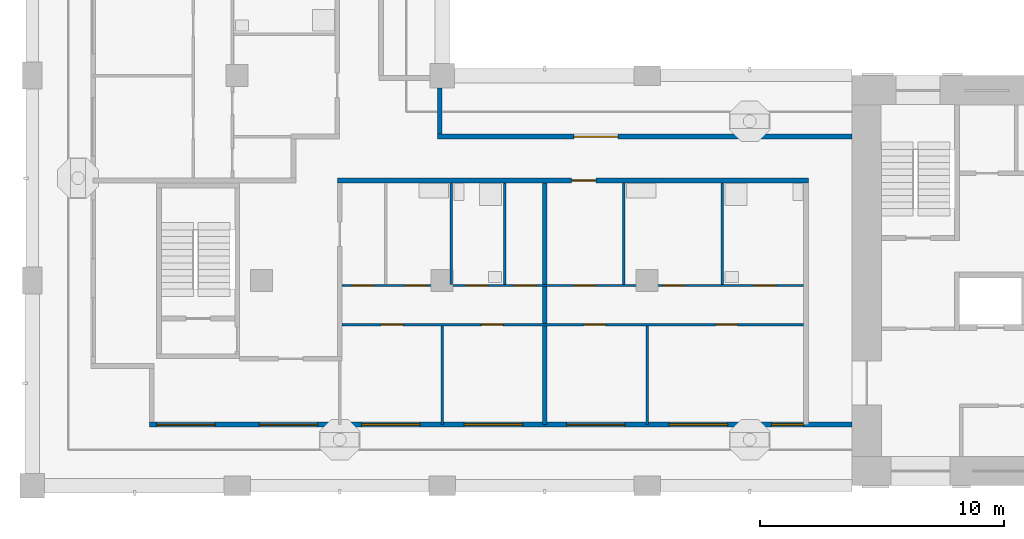
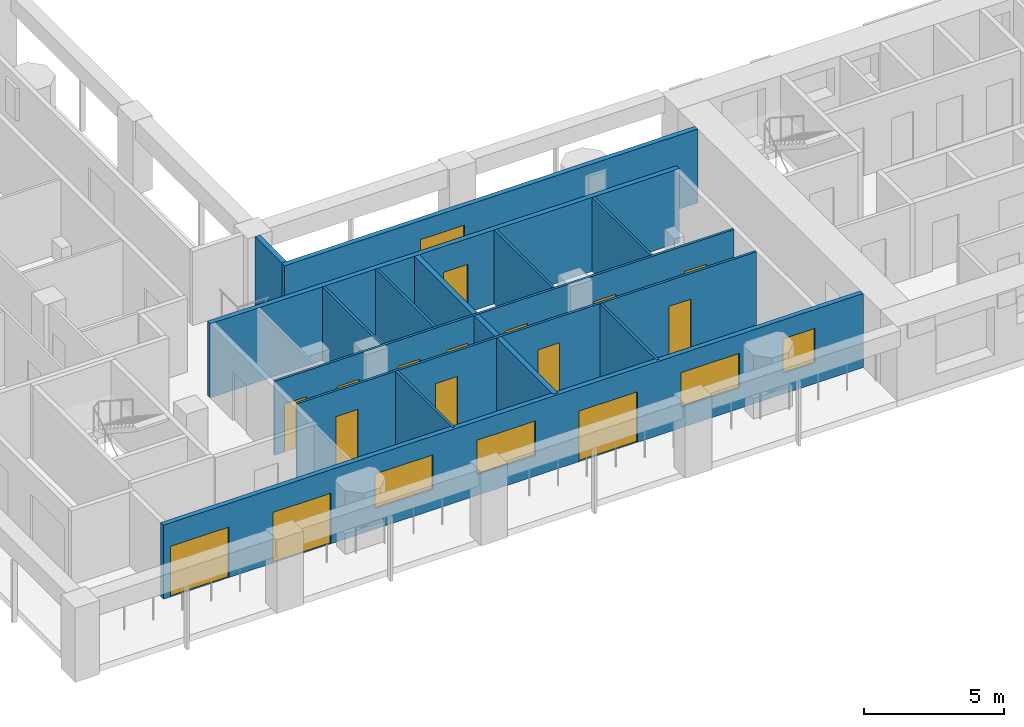
# One storey, part 2 of 11: 16 doors, 13 walls, 4 windows, 20 openings.
"""IFC4 building model written with IfcOpenShell, lengths in metres."""

from ifc_helpers import new_model, si_unit, direction, frame, frame_2d, origin, place, context, subcontext, project, spatial, rectangle, extrude, material, layer, layer_set, type_object, element, fill, save


model = new_model("IFC4")

# Units and contexts
model_context = context("Model", 3, precision=1e-05, world=origin(), true_north=direction((0.0, 1.0)))
body_context = subcontext(model_context, "Body", "Model", "MODEL_VIEW")
ifc_project = project(units=[si_unit("LENGTHUNIT", "METRE"), si_unit("AREAUNIT", "SQUARE_METRE"), si_unit("VOLUMEUNIT", "CUBIC_METRE"), si_unit("PLANEANGLEUNIT", "RADIAN"), si_unit("MASSUNIT", "GRAM", prefix="KILO")], contexts=[model_context])

# Site, building, storey
site_placement = place(None, origin())
site = spatial("IfcSite", under=ifc_project, at=site_placement, CompositionType="ELEMENT")
building_placement = place(site_placement, origin())
building = spatial("IfcBuilding", under=site, at=building_placement, Name="Vermilion Gate Residences", CompositionType="ELEMENT")
storey_placement = place(building_placement, frame((0.0, 0.0, 263.199951171875)))
storey = spatial("IfcBuildingStorey", under=building, at=storey_placement, Name="L69", CompositionType="ELEMENT", Elevation=263.199951171875)

# Wall, openings, doors, windows
ifc_material_1 = material(Name="Insulated steel stud wall with terracotta rainscreen", Category="masonry")
ifc_layer_1 = layer(ifc_material_1, 0.199951171875)
ifc_layer_set_1 = layer_set([ifc_layer_1], Name="EXTERNAL WALL 200 TERRACOTTA RAINSCREEN")
wall_type_1 = type_object("IfcWallType", Name="EXTERNAL WALL 200 TERRACOTTA RAINSCREEN", PredefinedType="SOLIDWALL", material=ifc_layer_set_1)
wall_1_placement = place(storey_placement, frame((13.199951171875, 10.89990234375, 0.0), z_axis=(0.0, 0.0, 1.0), x_axis=(1.0, 0.0, 0.0)))
wall_1 = element("IfcWall", 1, at=wall_1_placement, inside=storey, type_object=wall_type_1, Name="External wall", PredefinedType="SOLIDWALL", context=body_context, shape_type="SweptSolid", body=[
    extrude(rectangle(XDim=28.800048828125, YDim=0.199951171875, at=frame_2d((14.39990234375, 0.0))), origin(), (0.0, 0.0, 1.0), 3.219970703125),
])
opening_1_placement = place(wall_1_placement, frame((0.300048828125, 0.0, 0.0)))
opening_1 = element("IfcOpeningElement", 2, at=opening_1_placement, cuts=wall_1, Name="Opening DE69008", PredefinedType="OPENING", context=body_context, shape_type="SweptSolid", body=[
    extrude(rectangle(XDim=2.39990234375, YDim=2.199951171875, at=frame_2d((1.199951171875, 1.10009765625))), frame((0.0, 0.10986328125, 0.0), z_axis=(0.0, -1.0, 0.0), x_axis=(1.0, 0.0, 0.0)), (0.0, 0.0, 1.0), 0.219970703125),
])
opening_2_placement = place(wall_1_placement, frame((4.5, 0.0, 0.0)))
opening_2 = element("IfcOpeningElement", 3, at=opening_2_placement, cuts=wall_1, Name="Opening DE69009", PredefinedType="OPENING", context=body_context, shape_type="SweptSolid", body=[
    extrude(rectangle(XDim=2.39990234375, YDim=2.199951171875, at=frame_2d((1.199951171875, 1.10009765625))), frame((0.0, 0.10986328125, 0.0), z_axis=(0.0, -1.0, 0.0), x_axis=(1.0, 0.0, 0.0)), (0.0, 0.0, 1.0), 0.219970703125),
])
opening_3_placement = place(wall_1_placement, frame((8.699951171875, 0.0, 0.89990234375)))
opening_3 = element("IfcOpeningElement", 4, at=opening_3_placement, cuts=wall_1, Name="Opening WE69010", PredefinedType="OPENING", context=body_context, shape_type="SweptSolid", body=[
    extrude(rectangle(XDim=2.39990234375, YDim=1.5, at=frame_2d((1.199951171875, 0.75))), frame((0.0, 0.10986328125, 0.0), z_axis=(0.0, -1.0, 0.0), x_axis=(1.0, 0.0, 0.0)), (0.0, 0.0, 1.0), 0.219970703125),
])
opening_4_placement = place(wall_1_placement, frame((12.89990234375, 0.0, 0.89990234375)))
opening_4 = element("IfcOpeningElement", 5, at=opening_4_placement, cuts=wall_1, Name="Opening WE69011", PredefinedType="OPENING", context=body_context, shape_type="SweptSolid", body=[
    extrude(rectangle(XDim=2.39990234375, YDim=1.5, at=frame_2d((1.199951171875, 0.75))), frame((0.0, 0.10986328125, 0.0), z_axis=(0.0, -1.0, 0.0), x_axis=(1.0, 0.0, 0.0)), (0.0, 0.0, 1.0), 0.219970703125),
])
opening_5_placement = place(wall_1_placement, frame((17.10009765625, 0.0, 0.0)))
opening_5 = element("IfcOpeningElement", 6, at=opening_5_placement, cuts=wall_1, Name="Opening DE69012", PredefinedType="OPENING", context=body_context, shape_type="SweptSolid", body=[
    extrude(rectangle(XDim=2.39990234375, YDim=2.199951171875, at=frame_2d((1.199951171875, 1.10009765625))), frame((0.0, 0.10986328125, 0.0), z_axis=(0.0, -1.0, 0.0), x_axis=(1.0, 0.0, 0.0)), (0.0, 0.0, 1.0), 0.219970703125),
])
opening_6_placement = place(wall_1_placement, frame((21.300048828125, 0.0, 0.89990234375)))
opening_6 = element("IfcOpeningElement", 7, at=opening_6_placement, cuts=wall_1, Name="Opening WE69013", PredefinedType="OPENING", context=body_context, shape_type="SweptSolid", body=[
    extrude(rectangle(XDim=2.39990234375, YDim=1.5, at=frame_2d((1.199951171875, 0.75))), frame((0.0, 0.10986328125, 0.0), z_axis=(0.0, -1.0, 0.0), x_axis=(1.0, 0.0, 0.0)), (0.0, 0.0, 1.0), 0.219970703125),
])
opening_7_placement = place(wall_1_placement, frame((25.5, 0.0, 0.89990234375)))
opening_7 = element("IfcOpeningElement", 8, at=opening_7_placement, cuts=wall_1, Name="Opening WE69014", PredefinedType="OPENING", context=body_context, shape_type="SweptSolid", body=[
    extrude(rectangle(XDim=1.300048828125, YDim=1.5, at=frame_2d((0.64990234375, 0.75))), frame((0.0, 0.10986328125, 0.0), z_axis=(0.0, -1.0, 0.0), x_axis=(1.0, 0.0, 0.0)), (0.0, 0.0, 1.0), 0.219970703125),
])
ifc_material_2 = material(Name="Aluminium and clear glass", Category="aluminium")
door_type_1 = type_object("IfcDoorType", Name="SLIDING GLAZED DOOR 2400 X 2200", OperationType="DOUBLE_DOOR_SLIDING", PredefinedType="DOOR", material=ifc_material_2)
door_1_placement = place(opening_1_placement, origin())
door_1 = element("IfcDoor", 9, at=door_1_placement, inside=storey, type_object=door_type_1, Name="Loggia sliding door", OperationType="DOUBLE_DOOR_SLIDING", OverallHeight=2.199951171875, OverallWidth=2.39990234375, PredefinedType="DOOR", context=body_context, shape_type="SweptSolid", body=[
    extrude(rectangle(XDim=2.39990234375, YDim=2.199951171875, at=frame_2d((1.199951171875, 1.10009765625))), frame((0.0, 0.02490234375, 0.0), z_axis=(0.0, -1.0, 0.0), x_axis=(1.0, 0.0, 0.0)), (0.0, 0.0, 1.0), 0.050048828125),
])
fill(opening_1, door_1)
door_2_placement = place(opening_2_placement, origin())
door_2 = element("IfcDoor", 10, at=door_2_placement, inside=storey, type_object=door_type_1, Name="Loggia sliding door", OperationType="DOUBLE_DOOR_SLIDING", OverallHeight=2.199951171875, OverallWidth=2.39990234375, PredefinedType="DOOR", context=body_context, shape_type="SweptSolid", body=[
    extrude(rectangle(XDim=2.39990234375, YDim=2.199951171875, at=frame_2d((1.199951171875, 1.10009765625))), frame((0.0, 0.02490234375, 0.0), z_axis=(0.0, -1.0, 0.0), x_axis=(1.0, 0.0, 0.0)), (0.0, 0.0, 1.0), 0.050048828125),
])
fill(opening_2, door_2)
door_3_placement = place(opening_5_placement, origin())
door_3 = element("IfcDoor", 11, at=door_3_placement, inside=storey, type_object=door_type_1, Name="Loggia sliding door", OperationType="DOUBLE_DOOR_SLIDING", OverallHeight=2.199951171875, OverallWidth=2.39990234375, PredefinedType="DOOR", context=body_context, shape_type="SweptSolid", body=[
    extrude(rectangle(XDim=2.39990234375, YDim=2.199951171875, at=frame_2d((1.199951171875, 1.10009765625))), frame((0.0, 0.02490234375, 0.0), z_axis=(0.0, -1.0, 0.0), x_axis=(1.0, 0.0, 0.0)), (0.0, 0.0, 1.0), 0.050048828125),
])
fill(opening_5, door_3)
ifc_material_3 = material(Name="Aluminium and clear glass", Category="aluminium")
window_type_1 = type_object("IfcWindowType", Name="WINDOW 1300 X 1500", PartitioningType="SINGLE_PANEL", PredefinedType="WINDOW", material=ifc_material_3)
window_1_placement = place(opening_7_placement, origin())
window_1 = element("IfcWindow", 12, at=window_1_placement, inside=storey, type_object=window_type_1, Name="Window", OverallHeight=1.5, OverallWidth=1.300048828125, PartitioningType="SINGLE_PANEL", PredefinedType="WINDOW", context=body_context, shape_type="SweptSolid", body=[
    extrude(rectangle(XDim=1.300048828125, YDim=1.5, at=frame_2d((0.64990234375, 0.75))), frame((0.0, 0.030029296875, 0.0), z_axis=(0.0, -1.0, 0.0), x_axis=(1.0, 0.0, 0.0)), (0.0, 0.0, 1.0), 0.06005859375),
])
fill(opening_7, window_1)
ifc_material_4 = material(Name="Aluminium and clear glass", Category="aluminium")
window_type_2 = type_object("IfcWindowType", Name="WINDOW 2400 X 1500", PartitioningType="SINGLE_PANEL", PredefinedType="WINDOW", material=ifc_material_4)
window_2_placement = place(opening_3_placement, origin())
window_2 = element("IfcWindow", 13, at=window_2_placement, inside=storey, type_object=window_type_2, Name="Window", OverallHeight=1.5, OverallWidth=2.39990234375, PartitioningType="SINGLE_PANEL", PredefinedType="WINDOW", context=body_context, shape_type="SweptSolid", body=[
    extrude(rectangle(XDim=2.39990234375, YDim=1.5, at=frame_2d((1.199951171875, 0.75))), frame((0.0, 0.030029296875, 0.0), z_axis=(0.0, -1.0, 0.0), x_axis=(1.0, 0.0, 0.0)), (0.0, 0.0, 1.0), 0.06005859375),
])
fill(opening_3, window_2)
window_3_placement = place(opening_4_placement, origin())
window_3 = element("IfcWindow", 14, at=window_3_placement, inside=storey, type_object=window_type_2, Name="Window", OverallHeight=1.5, OverallWidth=2.39990234375, PartitioningType="SINGLE_PANEL", PredefinedType="WINDOW", context=body_context, shape_type="SweptSolid", body=[
    extrude(rectangle(XDim=2.39990234375, YDim=1.5, at=frame_2d((1.199951171875, 0.75))), frame((0.0, 0.030029296875, 0.0), z_axis=(0.0, -1.0, 0.0), x_axis=(1.0, 0.0, 0.0)), (0.0, 0.0, 1.0), 0.06005859375),
])
fill(opening_4, window_3)
window_4_placement = place(opening_6_placement, origin())
window_4 = element("IfcWindow", 15, at=window_4_placement, inside=storey, type_object=window_type_2, Name="Window", OverallHeight=1.5, OverallWidth=2.39990234375, PartitioningType="SINGLE_PANEL", PredefinedType="WINDOW", context=body_context, shape_type="SweptSolid", body=[
    extrude(rectangle(XDim=2.39990234375, YDim=1.5, at=frame_2d((1.199951171875, 0.75))), frame((0.0, 0.030029296875, 0.0), z_axis=(0.0, -1.0, 0.0), x_axis=(1.0, 0.0, 0.0)), (0.0, 0.0, 1.0), 0.06005859375),
])
fill(opening_6, window_4)

# Wall, opening, door
wall_2_placement = place(storey_placement, frame((42.0, 22.699951171875, 0.0), z_axis=(0.0, 0.0, 1.0), x_axis=(-1.0, 0.0, 0.0)))
wall_2 = element("IfcWall", 16, at=wall_2_placement, inside=storey, type_object=wall_type_1, Name="External wall", PredefinedType="SOLIDWALL", context=body_context, shape_type="SweptSolid", body=[
    extrude(rectangle(XDim=17.0, YDim=0.199951171875, at=frame_2d((8.5, 0.0))), origin(), (0.0, 0.0, 1.0), 3.219970703125),
])
opening_8_placement = place(wall_2_placement, frame((9.60009765625, 0.0, 0.0)))
opening_8 = element("IfcOpeningElement", 17, at=opening_8_placement, cuts=wall_2, Name="Opening DE69015", PredefinedType="OPENING", context=body_context, shape_type="SweptSolid", body=[
    extrude(rectangle(XDim=1.800048828125, YDim=2.39990234375, at=frame_2d((0.89990234375, 1.199951171875))), frame((0.0, 0.10986328125, 0.0), z_axis=(0.0, -1.0, 0.0), x_axis=(1.0, 0.0, 0.0)), (0.0, 0.0, 1.0), 0.219970703125),
])
ifc_material_5 = material(Name="Aluminium and clear glass", Category="aluminium")
door_type_2 = type_object("IfcDoorType", Name="GLAZED EXTERNAL DOOR 1800 X 2400", OperationType="DOUBLE_DOOR_SINGLE_SWING", PredefinedType="DOOR", material=ifc_material_5)
door_4_placement = place(opening_8_placement, frame((1.800048828125, 0.0, 0.0), z_axis=(0.0, 0.0, 1.0), x_axis=(-1.0, 0.0, 0.0)))
door_4 = element("IfcDoor", 18, at=door_4_placement, inside=storey, type_object=door_type_2, Name="Gallery door", OperationType="DOUBLE_DOOR_SINGLE_SWING", OverallHeight=2.39990234375, OverallWidth=1.800048828125, PredefinedType="DOOR", context=body_context, shape_type="SweptSolid", body=[
    extrude(rectangle(XDim=1.800048828125, YDim=2.39990234375, at=frame_2d((0.89990234375, 1.199951171875))), frame((0.0, 0.02490234375, 0.0), z_axis=(0.0, -1.0, 0.0), x_axis=(1.0, 0.0, 0.0)), (0.0, 0.0, 1.0), 0.050048828125),
])
fill(opening_8, door_4)

# Wall
wall_3_placement = place(storey_placement, frame((25.10009765625, 22.800048828125, 0.0), z_axis=(0.0, 0.0, 1.0), x_axis=(0.0, 1.0, 0.0)))
element("IfcWall", 19, at=wall_3_placement, inside=storey, type_object=wall_type_1, Name="External wall", PredefinedType="SOLIDWALL", context=body_context, shape_type="SweptSolid", body=[
    extrude(rectangle(XDim=1.89990234375, YDim=0.199951171875, at=frame_2d((0.949951171875, 0.0))), origin(), (0.0, 0.0, 1.0), 3.219970703125),
])

# Wall, openings, doors
ifc_material_6 = material(Name="Plasterboard on steel studs", Category="steel")
ifc_layer_2 = layer(ifc_material_6, 0.10009765625)
ifc_layer_set_2 = layer_set([ifc_layer_2], Name="PARTITION 100")
wall_type_2 = type_object("IfcWallType", Name="PARTITION 100", PredefinedType="PARTITIONING", material=ifc_layer_set_2)
wall_4_placement = place(storey_placement, frame((21.10009765625, 15.0, 0.0), z_axis=(0.0, 0.0, 1.0), x_axis=(1.0, 0.0, 0.0)))
wall_4 = element("IfcWall", 20, at=wall_4_placement, inside=storey, type_object=wall_type_2, Name="Partition", PredefinedType="PARTITIONING", context=body_context, shape_type="SweptSolid", body=[
    extrude(rectangle(XDim=18.89990234375, YDim=0.10009765625, at=frame_2d((9.449951171875, 0.0))), origin(), (0.0, 0.0, 1.0), 3.219970703125),
])
opening_9_placement = place(wall_4_placement, frame((1.60009765625, 0.0, 0.0)))
opening_9 = element("IfcOpeningElement", 21, at=opening_9_placement, cuts=wall_4, Name="Opening DA67002", PredefinedType="OPENING", context=body_context, shape_type="SweptSolid", body=[
    extrude(rectangle(XDim=0.89990234375, YDim=2.10009765625, at=frame_2d((0.449951171875, 1.050048828125))), frame((0.0, 0.06005859375, 0.0), z_axis=(0.0, -1.0, 0.0), x_axis=(1.0, 0.0, 0.0)), (0.0, 0.0, 1.0), 0.1201171875),
])
opening_10_placement = place(wall_4_placement, frame((5.699951171875, 0.0, 0.0)))
opening_10 = element("IfcOpeningElement", 22, at=opening_10_placement, cuts=wall_4, Name="Opening DA67003", PredefinedType="OPENING", context=body_context, shape_type="SweptSolid", body=[
    extrude(rectangle(XDim=0.89990234375, YDim=2.10009765625, at=frame_2d((0.449951171875, 1.050048828125))), frame((0.0, 0.06005859375, 0.0), z_axis=(0.0, -1.0, 0.0), x_axis=(1.0, 0.0, 0.0)), (0.0, 0.0, 1.0), 0.1201171875),
])
opening_11_placement = place(wall_4_placement, frame((9.89990234375, 0.0, 0.0)))
opening_11 = element("IfcOpeningElement", 23, at=opening_11_placement, cuts=wall_4, Name="Opening DA67004", PredefinedType="OPENING", context=body_context, shape_type="SweptSolid", body=[
    extrude(rectangle(XDim=0.89990234375, YDim=2.10009765625, at=frame_2d((0.449951171875, 1.050048828125))), frame((0.0, 0.06005859375, 0.0), z_axis=(0.0, -1.0, 0.0), x_axis=(1.0, 0.0, 0.0)), (0.0, 0.0, 1.0), 0.1201171875),
])
opening_12_placement = place(wall_4_placement, frame((15.300048828125, 0.0, 0.0)))
opening_12 = element("IfcOpeningElement", 24, at=opening_12_placement, cuts=wall_4, Name="Opening DA67005", PredefinedType="OPENING", context=body_context, shape_type="SweptSolid", body=[
    extrude(rectangle(XDim=0.89990234375, YDim=2.10009765625, at=frame_2d((0.449951171875, 1.050048828125))), frame((0.0, 0.06005859375, 0.0), z_axis=(0.0, -1.0, 0.0), x_axis=(1.0, 0.0, 0.0)), (0.0, 0.0, 1.0), 0.1201171875),
])
ifc_material_7 = material(Name="Timber", Category="wood")
door_type_3 = type_object("IfcDoorType", Name="INTERIOR DOOR 900 X 2100", OperationType="SINGLE_SWING_LEFT", PredefinedType="DOOR", material=ifc_material_7)
door_5_placement = place(opening_9_placement, frame((0.89990234375, 0.0, 0.0), z_axis=(0.0, 0.0, 1.0), x_axis=(-1.0, 0.0, 0.0)))
door_5 = element("IfcDoor", 25, at=door_5_placement, inside=storey, type_object=door_type_3, Name="Interior door", OperationType="SINGLE_SWING_LEFT", OverallHeight=2.10009765625, OverallWidth=0.89990234375, PredefinedType="DOOR", context=body_context, shape_type="SweptSolid", body=[
    extrude(rectangle(XDim=0.89990234375, YDim=2.10009765625, at=frame_2d((0.449951171875, 1.050048828125))), frame((0.0, 0.02490234375, 0.0), z_axis=(0.0, -1.0, 0.0), x_axis=(1.0, 0.0, 0.0)), (0.0, 0.0, 1.0), 0.050048828125),
])
fill(opening_9, door_5)
door_6_placement = place(opening_10_placement, frame((0.89990234375, 0.0, 0.0), z_axis=(0.0, 0.0, 1.0), x_axis=(-1.0, 0.0, 0.0)))
door_6 = element("IfcDoor", 26, at=door_6_placement, inside=storey, type_object=door_type_3, Name="Interior door", OperationType="SINGLE_SWING_RIGHT", OverallHeight=2.10009765625, OverallWidth=0.89990234375, PredefinedType="DOOR", context=body_context, shape_type="SweptSolid", body=[
    extrude(rectangle(XDim=0.89990234375, YDim=2.10009765625, at=frame_2d((0.449951171875, 1.050048828125))), frame((0.0, 0.02490234375, 0.0), z_axis=(0.0, -1.0, 0.0), x_axis=(1.0, 0.0, 0.0)), (0.0, 0.0, 1.0), 0.050048828125),
])
fill(opening_10, door_6)
door_7_placement = place(opening_11_placement, frame((0.89990234375, 0.0, 0.0), z_axis=(0.0, 0.0, 1.0), x_axis=(-1.0, 0.0, 0.0)))
door_7 = element("IfcDoor", 27, at=door_7_placement, inside=storey, type_object=door_type_3, Name="Interior door", OperationType="SINGLE_SWING_RIGHT", OverallHeight=2.10009765625, OverallWidth=0.89990234375, PredefinedType="DOOR", context=body_context, shape_type="SweptSolid", body=[
    extrude(rectangle(XDim=0.89990234375, YDim=2.10009765625, at=frame_2d((0.449951171875, 1.050048828125))), frame((0.0, 0.02490234375, 0.0), z_axis=(0.0, -1.0, 0.0), x_axis=(1.0, 0.0, 0.0)), (0.0, 0.0, 1.0), 0.050048828125),
])
fill(opening_11, door_7)
door_8_placement = place(opening_12_placement, frame((0.89990234375, 0.0, 0.0), z_axis=(0.0, 0.0, 1.0), x_axis=(-1.0, 0.0, 0.0)))
door_8 = element("IfcDoor", 28, at=door_8_placement, inside=storey, type_object=door_type_3, Name="Interior door", OperationType="SINGLE_SWING_LEFT", OverallHeight=2.10009765625, OverallWidth=0.89990234375, PredefinedType="DOOR", context=body_context, shape_type="SweptSolid", body=[
    extrude(rectangle(XDim=0.89990234375, YDim=2.10009765625, at=frame_2d((0.449951171875, 1.050048828125))), frame((0.0, 0.02490234375, 0.0), z_axis=(0.0, -1.0, 0.0), x_axis=(1.0, 0.0, 0.0)), (0.0, 0.0, 1.0), 0.050048828125),
])
fill(opening_12, door_8)

wall_5_placement = place(storey_placement, frame((21.10009765625, 16.60009765625, 0.0), z_axis=(0.0, 0.0, 1.0), x_axis=(1.0, 0.0, 0.0)))
wall_5 = element("IfcWall", 29, at=wall_5_placement, inside=storey, type_object=wall_type_2, Name="Partition", PredefinedType="PARTITIONING", context=body_context, shape_type="SweptSolid", body=[
    extrude(rectangle(XDim=18.89990234375, YDim=0.10009765625, at=frame_2d((9.449951171875, 0.0))), origin(), (0.0, 0.0, 1.0), 3.219970703125),
])
opening_13_placement = place(wall_5_placement, frame((0.39990234375, 0.0, 0.0)))
opening_13 = element("IfcOpeningElement", 30, at=opening_13_placement, cuts=wall_5, Name="Opening DA67006", PredefinedType="OPENING", context=body_context, shape_type="SweptSolid", body=[
    extrude(rectangle(XDim=0.89990234375, YDim=2.10009765625, at=frame_2d((0.449951171875, 1.050048828125))), frame((0.0, 0.06005859375, 0.0), z_axis=(0.0, -1.0, 0.0), x_axis=(1.0, 0.0, 0.0)), (0.0, 0.0, 1.0), 0.1201171875),
])
opening_14_placement = place(wall_5_placement, frame((2.583984375, 0.0, 0.0)))
opening_14 = element("IfcOpeningElement", 31, at=opening_14_placement, cuts=wall_5, Name="Opening DA67007", PredefinedType="OPENING", context=body_context, shape_type="SweptSolid", body=[
    extrude(rectangle(XDim=0.89990234375, YDim=2.10009765625, at=frame_2d((0.449951171875, 1.050048828125))), frame((0.0, 0.06005859375, 0.0), z_axis=(0.0, -1.0, 0.0), x_axis=(1.0, 0.0, 0.0)), (0.0, 0.0, 1.0), 0.1201171875),
])
opening_15_placement = place(wall_5_placement, frame((5.068115234375, 0.0, 0.0)))
opening_15 = element("IfcOpeningElement", 32, at=opening_15_placement, cuts=wall_5, Name="Opening DA67008", PredefinedType="OPENING", context=body_context, shape_type="SweptSolid", body=[
    extrude(rectangle(XDim=0.89990234375, YDim=2.10009765625, at=frame_2d((0.449951171875, 1.050048828125))), frame((0.0, 0.06005859375, 0.0), z_axis=(0.0, -1.0, 0.0), x_axis=(1.0, 0.0, 0.0)), (0.0, 0.0, 1.0), 0.1201171875),
])
opening_16_placement = place(wall_5_placement, frame((7.05810546875, 0.0, 0.0)))
opening_16 = element("IfcOpeningElement", 33, at=opening_16_placement, cuts=wall_5, Name="Opening DA67009", PredefinedType="OPENING", context=body_context, shape_type="SweptSolid", body=[
    extrude(rectangle(XDim=0.89990234375, YDim=2.10009765625, at=frame_2d((0.449951171875, 1.050048828125))), frame((0.0, 0.06005859375, 0.0), z_axis=(0.0, -1.0, 0.0), x_axis=(1.0, 0.0, 0.0)), (0.0, 0.0, 1.0), 0.1201171875),
])
opening_17_placement = place(wall_5_placement, frame((9.5, 0.0, 0.0)))
opening_17 = element("IfcOpeningElement", 34, at=opening_17_placement, cuts=wall_5, Name="Opening DA67010", PredefinedType="OPENING", context=body_context, shape_type="SweptSolid", body=[
    extrude(rectangle(XDim=0.89990234375, YDim=2.10009765625, at=frame_2d((0.449951171875, 1.050048828125))), frame((0.0, 0.06005859375, 0.0), z_axis=(0.0, -1.0, 0.0), x_axis=(1.0, 0.0, 0.0)), (0.0, 0.0, 1.0), 0.1201171875),
])
opening_18_placement = place(wall_5_placement, frame((13.133056640625, 0.0, 0.0)))
opening_18 = element("IfcOpeningElement", 35, at=opening_18_placement, cuts=wall_5, Name="Opening DA67011", PredefinedType="OPENING", context=body_context, shape_type="SweptSolid", body=[
    extrude(rectangle(XDim=0.89990234375, YDim=2.10009765625, at=frame_2d((0.449951171875, 1.050048828125))), frame((0.0, 0.06005859375, 0.0), z_axis=(0.0, -1.0, 0.0), x_axis=(1.0, 0.0, 0.0)), (0.0, 0.0, 1.0), 0.1201171875),
])
opening_19_placement = place(wall_5_placement, frame((16.866943359375, 0.0, 0.0)))
opening_19 = element("IfcOpeningElement", 36, at=opening_19_placement, cuts=wall_5, Name="Opening DA67012", PredefinedType="OPENING", context=body_context, shape_type="SweptSolid", body=[
    extrude(rectangle(XDim=0.89990234375, YDim=2.10009765625, at=frame_2d((0.449951171875, 1.050048828125))), frame((0.0, 0.06005859375, 0.0), z_axis=(0.0, -1.0, 0.0), x_axis=(1.0, 0.0, 0.0)), (0.0, 0.0, 1.0), 0.1201171875),
])
door_9_placement = place(opening_13_placement, origin())
door_9 = element("IfcDoor", 37, at=door_9_placement, inside=storey, type_object=door_type_3, Name="Interior door", OperationType="SINGLE_SWING_LEFT", OverallHeight=2.10009765625, OverallWidth=0.89990234375, PredefinedType="DOOR", context=body_context, shape_type="SweptSolid", body=[
    extrude(rectangle(XDim=0.89990234375, YDim=2.10009765625, at=frame_2d((0.449951171875, 1.050048828125))), frame((0.0, 0.02490234375, 0.0), z_axis=(0.0, -1.0, 0.0), x_axis=(1.0, 0.0, 0.0)), (0.0, 0.0, 1.0), 0.050048828125),
])
fill(opening_13, door_9)
door_10_placement = place(opening_14_placement, origin())
door_10 = element("IfcDoor", 38, at=door_10_placement, inside=storey, type_object=door_type_3, Name="Interior door", OperationType="SINGLE_SWING_RIGHT", OverallHeight=2.10009765625, OverallWidth=0.89990234375, PredefinedType="DOOR", context=body_context, shape_type="SweptSolid", body=[
    extrude(rectangle(XDim=0.89990234375, YDim=2.10009765625, at=frame_2d((0.449951171875, 1.050048828125))), frame((0.0, 0.02490234375, 0.0), z_axis=(0.0, -1.0, 0.0), x_axis=(1.0, 0.0, 0.0)), (0.0, 0.0, 1.0), 0.050048828125),
])
fill(opening_14, door_10)
door_11_placement = place(opening_15_placement, origin())
door_11 = element("IfcDoor", 39, at=door_11_placement, inside=storey, type_object=door_type_3, Name="Interior door", OperationType="SINGLE_SWING_RIGHT", OverallHeight=2.10009765625, OverallWidth=0.89990234375, PredefinedType="DOOR", context=body_context, shape_type="SweptSolid", body=[
    extrude(rectangle(XDim=0.89990234375, YDim=2.10009765625, at=frame_2d((0.449951171875, 1.050048828125))), frame((0.0, 0.02490234375, 0.0), z_axis=(0.0, -1.0, 0.0), x_axis=(1.0, 0.0, 0.0)), (0.0, 0.0, 1.0), 0.050048828125),
])
fill(opening_15, door_11)
door_12_placement = place(opening_16_placement, origin())
door_12 = element("IfcDoor", 40, at=door_12_placement, inside=storey, type_object=door_type_3, Name="Interior door", OperationType="SINGLE_SWING_RIGHT", OverallHeight=2.10009765625, OverallWidth=0.89990234375, PredefinedType="DOOR", context=body_context, shape_type="SweptSolid", body=[
    extrude(rectangle(XDim=0.89990234375, YDim=2.10009765625, at=frame_2d((0.449951171875, 1.050048828125))), frame((0.0, 0.02490234375, 0.0), z_axis=(0.0, -1.0, 0.0), x_axis=(1.0, 0.0, 0.0)), (0.0, 0.0, 1.0), 0.050048828125),
])
fill(opening_16, door_12)
door_13_placement = place(opening_17_placement, origin())
door_13 = element("IfcDoor", 41, at=door_13_placement, inside=storey, type_object=door_type_3, Name="Interior door", OperationType="SINGLE_SWING_RIGHT", OverallHeight=2.10009765625, OverallWidth=0.89990234375, PredefinedType="DOOR", context=body_context, shape_type="SweptSolid", body=[
    extrude(rectangle(XDim=0.89990234375, YDim=2.10009765625, at=frame_2d((0.449951171875, 1.050048828125))), frame((0.0, 0.02490234375, 0.0), z_axis=(0.0, -1.0, 0.0), x_axis=(1.0, 0.0, 0.0)), (0.0, 0.0, 1.0), 0.050048828125),
])
fill(opening_17, door_13)
door_14_placement = place(opening_18_placement, origin())
door_14 = element("IfcDoor", 42, at=door_14_placement, inside=storey, type_object=door_type_3, Name="Interior door", OperationType="SINGLE_SWING_LEFT", OverallHeight=2.10009765625, OverallWidth=0.89990234375, PredefinedType="DOOR", context=body_context, shape_type="SweptSolid", body=[
    extrude(rectangle(XDim=0.89990234375, YDim=2.10009765625, at=frame_2d((0.449951171875, 1.050048828125))), frame((0.0, 0.02490234375, 0.0), z_axis=(0.0, -1.0, 0.0), x_axis=(1.0, 0.0, 0.0)), (0.0, 0.0, 1.0), 0.050048828125),
])
fill(opening_18, door_14)
door_15_placement = place(opening_19_placement, origin())
door_15 = element("IfcDoor", 43, at=door_15_placement, inside=storey, type_object=door_type_3, Name="Interior door", OperationType="SINGLE_SWING_LEFT", OverallHeight=2.10009765625, OverallWidth=0.89990234375, PredefinedType="DOOR", context=body_context, shape_type="SweptSolid", body=[
    extrude(rectangle(XDim=0.89990234375, YDim=2.10009765625, at=frame_2d((0.449951171875, 1.050048828125))), frame((0.0, 0.02490234375, 0.0), z_axis=(0.0, -1.0, 0.0), x_axis=(1.0, 0.0, 0.0)), (0.0, 0.0, 1.0), 0.050048828125),
])
fill(opening_19, door_15)

# Walls
wall_6_placement = place(storey_placement, frame((25.199951171875, 10.89990234375, 0.0), z_axis=(0.0, 0.0, 1.0), x_axis=(0.0, 1.0, 0.0)))
element("IfcWall", 44, at=wall_6_placement, inside=storey, type_object=wall_type_2, Name="Partition", PredefinedType="PARTITIONING", context=body_context, shape_type="SweptSolid", body=[
    extrude(rectangle(XDim=4.050048828125, YDim=0.10009765625, at=frame_2d((2.02490234375, 0.0))), origin(), (0.0, 0.0, 1.0), 3.219970703125),
])
for number, where, z_axis, x_axis, name in (
    (45, (25.568115234375, 16.64990234375, 0.0), (0.0, 0.0, 1.0), (0.0, 1.0, 0.0), "Partition"),
    (46, (27.758056640625, 16.64990234375, 0.0), (0.0, 0.0, 1.0), (0.0, 1.0, 0.0), "Partition"),
    (47, (32.633056640625, 16.64990234375, 0.0), (0.0, 0.0, 1.0), (0.0, 1.0, 0.0), "Partition"),
):
    element("IfcWall", number, at=place(storey_placement, frame(where, z_axis=z_axis, x_axis=x_axis)), inside=storey, type_object=wall_type_2, Name=name, PredefinedType="PARTITIONING", context=body_context, shape_type="SweptSolid", body=[
        extrude(rectangle(XDim=4.150146484375, YDim=0.10009765625, at=frame_2d((2.0751953125, 0.0))), origin(), (0.0, 0.0, 1.0), 3.219970703125),
    ])
wall_7_placement = place(storey_placement, frame((33.60009765625, 10.89990234375, 0.0), z_axis=(0.0, 0.0, 1.0), x_axis=(0.0, 1.0, 0.0)))
element("IfcWall", 48, at=wall_7_placement, inside=storey, type_object=wall_type_2, Name="Partition", PredefinedType="PARTITIONING", context=body_context, shape_type="SweptSolid", body=[
    extrude(rectangle(XDim=4.050048828125, YDim=0.10009765625, at=frame_2d((2.02490234375, 0.0))), origin(), (0.0, 0.0, 1.0), 3.219970703125),
])
wall_8_placement = place(storey_placement, frame((36.6669921875, 16.64990234375, 0.0), z_axis=(0.0, 0.0, 1.0), x_axis=(0.0, 1.0, 0.0)))
element("IfcWall", 49, at=wall_8_placement, inside=storey, type_object=wall_type_2, Name="Partition", PredefinedType="PARTITIONING", context=body_context, shape_type="SweptSolid", body=[
    extrude(rectangle(XDim=4.150146484375, YDim=0.10009765625, at=frame_2d((2.0751953125, 0.0))), origin(), (0.0, 0.0, 1.0), 3.219970703125),
])

# Wall, opening, door
ifc_material_8 = material(Name="Fire-rated plasterboard on steel studs", Category="steel")
ifc_layer_3 = layer(ifc_material_8, 0.199951171875)
ifc_layer_set_3 = layer_set([ifc_layer_3], Name="PARTY WALL 200 EI 120")
wall_type_3 = type_object("IfcWallType", Name="PARTY WALL 200 EI 120", PredefinedType="PARTITIONING", material=ifc_layer_set_3)
wall_9_placement = place(storey_placement, frame((20.89990234375, 20.89990234375, 0.0), z_axis=(0.0, 0.0, 1.0), x_axis=(1.0, 0.0, 0.0)))
wall_9 = element("IfcWall", 50, at=wall_9_placement, inside=storey, type_object=wall_type_3, Name="Party and corridor wall", PredefinedType="PARTITIONING", context=body_context, shape_type="SweptSolid", body=[
    extrude(rectangle(XDim=19.300048828125, YDim=0.199951171875, at=frame_2d((9.64990234375, 0.0))), origin(), (0.0, 0.0, 1.0), 3.219970703125),
])
opening_20_placement = place(wall_9_placement, frame((9.60009765625, 0.0, 0.0)))
opening_20 = element("IfcOpeningElement", 51, at=opening_20_placement, cuts=wall_9, Name="Opening DA67013", PredefinedType="OPENING", context=body_context, shape_type="SweptSolid", body=[
    extrude(rectangle(XDim=1.0, YDim=2.10009765625, at=frame_2d((0.5, 1.050048828125))), frame((0.0, 0.10986328125, 0.0), z_axis=(0.0, -1.0, 0.0), x_axis=(1.0, 0.0, 0.0)), (0.0, 0.0, 1.0), 0.219970703125),
])
ifc_material_9 = material(Name="Steel", Category="steel")
door_type_4 = type_object("IfcDoorType", Name="ENTRANCE DOOR 1000 X 2100 FD30", OperationType="SINGLE_SWING_LEFT", PredefinedType="DOOR", material=ifc_material_9)
door_16_placement = place(opening_20_placement, frame((1.0, 0.0, 0.0), z_axis=(0.0, 0.0, 1.0), x_axis=(-1.0, 0.0, 0.0)))
door_16 = element("IfcDoor", 52, at=door_16_placement, inside=storey, type_object=door_type_4, Name="Entrance door", OperationType="SINGLE_SWING_RIGHT", OverallHeight=2.10009765625, OverallWidth=1.0, PredefinedType="DOOR", context=body_context, shape_type="SweptSolid", body=[
    extrude(rectangle(XDim=1.0, YDim=2.10009765625, at=frame_2d((0.5, 1.050048828125))), frame((0.0, 0.02490234375, 0.0), z_axis=(0.0, -1.0, 0.0), x_axis=(1.0, 0.0, 0.0)), (0.0, 0.0, 1.0), 0.050048828125),
])
fill(opening_20, door_16)

# Wall
wall_10_placement = place(storey_placement, frame((29.39990234375, 10.89990234375, 0.0), z_axis=(0.0, 0.0, 1.0), x_axis=(0.0, 1.0, 0.0)))
element("IfcWall", 53, at=wall_10_placement, inside=storey, type_object=wall_type_3, Name="Party and corridor wall", PredefinedType="PARTITIONING", context=body_context, shape_type="SweptSolid", body=[
    extrude(rectangle(XDim=9.900146484375, YDim=0.199951171875, at=frame_2d((4.9501953125, 0.0))), origin(), (0.0, 0.0, 1.0), 3.219970703125),
])

save(model, "model.ifc")
